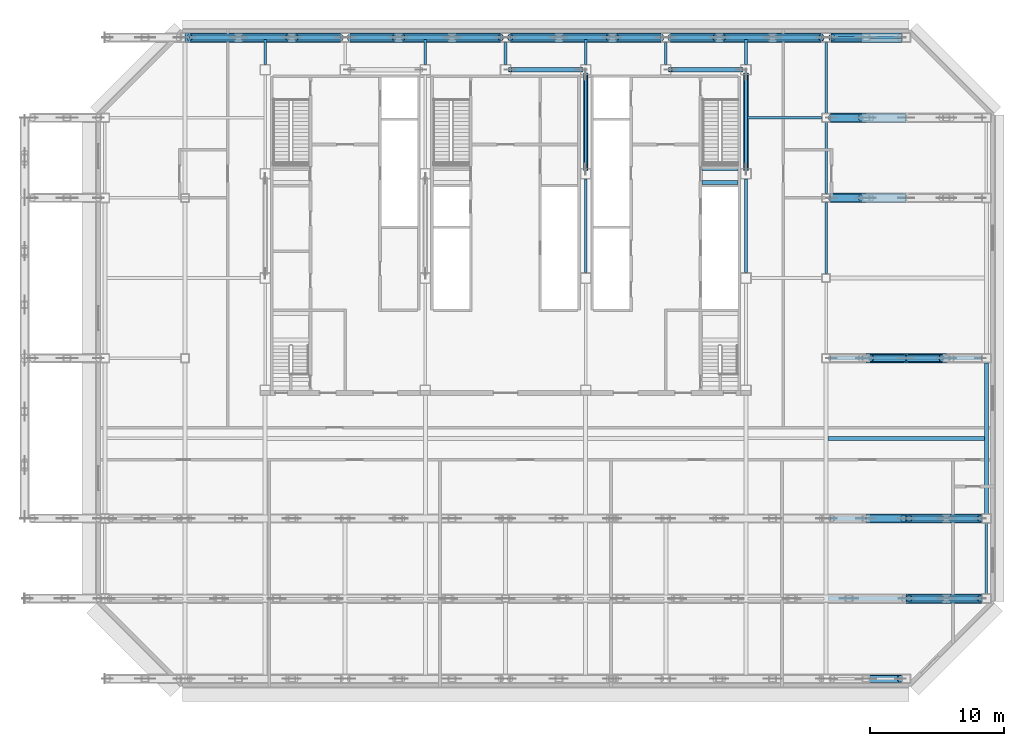
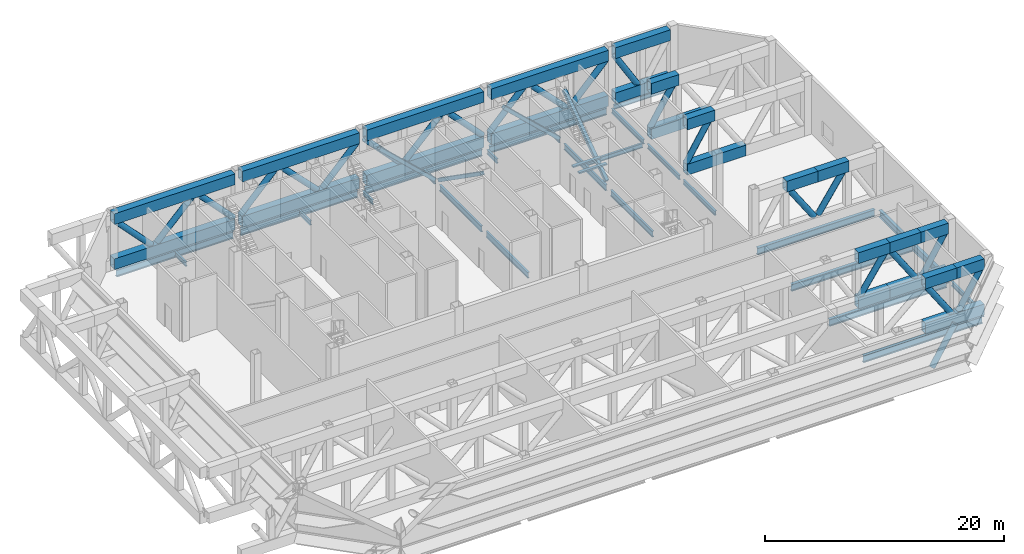
# One storey, part 4 of 17: 51 beams, 27 members.
"""IFC4 building model written with IfcOpenShell, lengths in metres."""

from ifc_helpers import new_model, si_unit, direction, frame, origin, origin_2d, place, context, subcontext, project, spatial, rectangle, hollow_rectangle, hollow_circle, i_section, extrude, material, material_profile, profile_set, type_object, element, save


model = new_model("IFC4")

# Units and contexts
model_context = context("Model", 3, precision=1e-05, world=origin(), true_north=direction((0.0, 1.0)))
body_context = subcontext(model_context, "Body", "Model", "MODEL_VIEW")
ifc_project = project(units=[si_unit("LENGTHUNIT", "METRE"), si_unit("AREAUNIT", "SQUARE_METRE"), si_unit("VOLUMEUNIT", "CUBIC_METRE"), si_unit("PLANEANGLEUNIT", "RADIAN"), si_unit("MASSUNIT", "GRAM", prefix="KILO")], contexts=[model_context])

# Site, building, storey
site_placement = place(None, origin())
site = spatial("IfcSite", under=ifc_project, at=site_placement, CompositionType="ELEMENT")
building_placement = place(site_placement, origin())
building = spatial("IfcBuilding", under=site, at=building_placement, Name="Sorahane Residences", CompositionType="ELEMENT")
storey_placement = place(building_placement, frame((0.0, 0.0, 186.0)))
storey = spatial("IfcBuildingStorey", under=building, at=storey_placement, Name="L43", CompositionType="ELEMENT", Elevation=186.0)

# Members
ifc_material_1 = material(Name="Steel Q355B", Category="steel")
ifc_material_profile_1 = material_profile(ifc_material_1, hollow_rectangle(XDim=0.35009765625, YDim=0.35009765625, WallThickness=0.01806640625, InnerFilletRadius=0.009033203125, OuterFilletRadius=0.027099609375, at=origin_2d()), Name="RHS 350x350x18")
ifc_profile_set_1 = profile_set([ifc_material_profile_1], Name="Steel Q355B")
member_type_1 = type_object("IfcMemberType", Name="Core brace RHS 350x350x18 Q355B", PredefinedType="BRACE", material=ifc_profile_set_1)
for number, where, z_axis, x_axis, name in (
    (1, (29.672119140625, 45.60009765625, 0.107177734375), (-0.727807481215, 0.0, 0.685781503314), (0.0, -1.0, 0.0), "Core brace L43 y45.6-4"),
    (2, (41.672119140625, 45.60009765625, 0.107177734375), (-0.727807481215, 0.0, 0.685781503314), (0.0, -1.0, 0.0), "Core brace L43 y45.6-6"),
):
    element("IfcMember", number, at=place(storey_placement, frame(where, z_axis=z_axis, x_axis=x_axis)), inside=storey, type_object=member_type_1, Name=name, PredefinedType="BRACE", context=body_context, shape_type="SweptSolid", body=[
        extrude(hollow_rectangle(XDim=0.35009765625, YDim=0.35009765625, WallThickness=0.01806640625, InnerFilletRadius=0.009033203125, OuterFilletRadius=0.027099609375, at=origin_2d()), origin(), (0.0, 0.0, 1.0), 7.343017578125),
    ])
for number, where, z_axis, x_axis, name in (
    (3, (42.0, 38.139892578125, 0.1328125), (0.0, 0.8192253223, 0.573471770275), (-1.0, 0.0, 0.0), "Core brace L43 x42-3"),
    (4, (30.0, 45.26025390625, 0.1328125), (0.0, -0.8192253223, 0.573471770275), (1.0, 0.0, 0.0), "Core brace L43 x30-2"),
):
    element("IfcMember", number, at=place(storey_placement, frame(where, z_axis=z_axis, x_axis=x_axis)), inside=storey, type_object=member_type_1, Name=name, PredefinedType="BRACE", context=body_context, shape_type="SweptSolid", body=[
        extrude(hollow_rectangle(XDim=0.35009765625, YDim=0.35009765625, WallThickness=0.01806640625, InnerFilletRadius=0.009033203125, OuterFilletRadius=0.027099609375, at=origin_2d()), origin(), (0.0, 0.0, 1.0), 8.691650390625),
    ])

# Beams
ifc_material_2 = material(Name="Concrete C40", Category="concrete")
ifc_material_profile_2 = material_profile(ifc_material_2, rectangle(XDim=0.300048828125, YDim=0.139892578125, at=origin_2d()), Name="300x140")
ifc_profile_set_2 = profile_set([ifc_material_profile_2], Name="Concrete C40")
beam_type_1 = type_object("IfcBeamType", Name="RC landing beam 300 x 140 Concrete C40", PredefinedType="BEAM", material=ifc_profile_set_2)
for number, where, z_axis, x_axis, name in (
    (5, (38.699951171875, 37.14990234375, 2.72998046875), (1.0, 0.0, 0.0), (0.0, 1.0, 0.0), "Landing beam"),
    (6, (38.699951171875, 38.18994140625, 2.72998046875), (1.0, 0.0, 0.0), (0.0, 1.0, 0.0), "Landing beam"),
):
    element("IfcBeam", number, at=place(storey_placement, frame(where, z_axis=z_axis, x_axis=x_axis)), inside=storey, type_object=beam_type_1, Name=name, PredefinedType="BEAM", context=body_context, shape_type="SweptSolid", body=[
        extrude(rectangle(XDim=0.300048828125, YDim=0.139892578125, at=origin_2d()), origin(), (0.0, 0.0, 1.0), 2.699951171875),
    ])
ifc_material_3 = material(Name="Steel Q355B", Category="steel")
ifc_material_profile_3 = material_profile(ifc_material_3, i_section(OverallWidth=0.199951171875, OverallDepth=0.449951171875, WebThickness=0.009033203125, FlangeThickness=0.013916015625, FilletRadius=0.02001953125, at=origin_2d()), Name="HN 450x200x9x14")
ifc_profile_set_3 = profile_set([ifc_material_profile_3], Name="Steel Q355B")
beam_type_2 = type_object("IfcBeamType", Name="Steel floor beam HN 450x200x9x14 Q355B", PredefinedType="BEAM", material=ifc_profile_set_3)
beam_1_placement = place(storey_placement, frame((48.35009765625, 48.0, -0.52490234375), z_axis=(1.0, 0.0, 0.0), x_axis=(0.0, 1.0, 0.0)))
element("IfcBeam", 7, at=beam_1_placement, inside=storey, type_object=beam_type_2, Name="Beam L43 019", PredefinedType="BEAM", context=body_context, shape_type="SweptSolid", body=[
    extrude(i_section(OverallWidth=0.199951171875, OverallDepth=0.449951171875, WebThickness=0.009033203125, FlangeThickness=0.013916015625, FilletRadius=0.02001953125, at=origin_2d()), origin(), (0.0, 0.0, 1.0), 5.2998046875),
])
for number, where, z_axis, x_axis, name in (
    (8, (6.0, 46.0, -0.52490234375), (0.0, 1.0, 0.0), (-1.0, 0.0, 0.0), "Beam L43 033"),
    (9, (18.0, 46.0, -0.52490234375), (0.0, 1.0, 0.0), (-1.0, 0.0, 0.0), "Beam L43 041"),
):
    element("IfcBeam", number, at=place(storey_placement, frame(where, z_axis=z_axis, x_axis=x_axis)), inside=storey, type_object=beam_type_2, Name=name, PredefinedType="BEAM", context=body_context, shape_type="SweptSolid", body=[
        extrude(i_section(OverallWidth=0.199951171875, OverallDepth=0.449951171875, WebThickness=0.009033203125, FlangeThickness=0.013916015625, FilletRadius=0.02001953125, at=origin_2d()), origin(), (0.0, 0.0, 1.0), 1.85009765625),
    ])
beam_2_placement = place(storey_placement, frame((24.0, 46.0, -0.52490234375), z_axis=(0.0, 1.0, 0.0), x_axis=(-1.0, 0.0, 0.0)))
element("IfcBeam", 10, at=beam_2_placement, inside=storey, type_object=beam_type_2, Name="Beam L43 043", PredefinedType="BEAM", context=body_context, shape_type="SweptSolid", body=[
    extrude(i_section(OverallWidth=0.199951171875, OverallDepth=0.449951171875, WebThickness=0.009033203125, FlangeThickness=0.013916015625, FilletRadius=0.02001953125, at=origin_2d()), origin(), (0.0, 0.0, 1.0), 1.64990234375),
])
beam_3_placement = place(storey_placement, frame((30.0, 46.0, -0.52490234375), z_axis=(0.0, 1.0, 0.0), x_axis=(-1.0, 0.0, 0.0)))
element("IfcBeam", 11, at=beam_3_placement, inside=storey, type_object=beam_type_2, Name="Beam L43 049", PredefinedType="BEAM", context=body_context, shape_type="SweptSolid", body=[
    extrude(i_section(OverallWidth=0.199951171875, OverallDepth=0.449951171875, WebThickness=0.009033203125, FlangeThickness=0.013916015625, FilletRadius=0.02001953125, at=origin_2d()), origin(), (0.0, 0.0, 1.0), 1.85009765625),
])
beam_4_placement = place(storey_placement, frame((36.0, 46.0, -0.52490234375), z_axis=(0.0, 1.0, 0.0), x_axis=(-1.0, 0.0, 0.0)))
element("IfcBeam", 12, at=beam_4_placement, inside=storey, type_object=beam_type_2, Name="Beam L43 051", PredefinedType="BEAM", context=body_context, shape_type="SweptSolid", body=[
    extrude(i_section(OverallWidth=0.199951171875, OverallDepth=0.449951171875, WebThickness=0.009033203125, FlangeThickness=0.013916015625, FilletRadius=0.02001953125, at=origin_2d()), origin(), (0.0, 0.0, 1.0), 1.64990234375),
])
beam_5_placement = place(storey_placement, frame((42.0, 46.0, -0.52490234375), z_axis=(0.0, 1.0, 0.0), x_axis=(-1.0, 0.0, 0.0)))
element("IfcBeam", 13, at=beam_5_placement, inside=storey, type_object=beam_type_2, Name="Beam L43 057", PredefinedType="BEAM", context=body_context, shape_type="SweptSolid", body=[
    extrude(i_section(OverallWidth=0.199951171875, OverallDepth=0.449951171875, WebThickness=0.009033203125, FlangeThickness=0.013916015625, FilletRadius=0.02001953125, at=origin_2d()), origin(), (0.0, 0.0, 1.0), 1.85009765625),
])
for number, where, z_axis, x_axis, name in (
    (14, (48.0, 30.324951171875, -0.52490234375), (0.0, 1.0, 0.0), (-1.0, 0.0, 0.0), "Beam L43 061"),
    (15, (48.0, 36.324951171875, -0.52490234375), (0.0, 1.0, 0.0), (-1.0, 0.0, 0.0), "Beam L43 062"),
):
    element("IfcBeam", number, at=place(storey_placement, frame(where, z_axis=z_axis, x_axis=x_axis)), inside=storey, type_object=beam_type_2, Name=name, PredefinedType="BEAM", context=body_context, shape_type="SweptSolid", body=[
        extrude(i_section(OverallWidth=0.199951171875, OverallDepth=0.449951171875, WebThickness=0.009033203125, FlangeThickness=0.013916015625, FilletRadius=0.02001953125, at=origin_2d()), origin(), (0.0, 0.0, 1.0), 5.35009765625),
    ])
beam_6_placement = place(storey_placement, frame((48.0, 42.324951171875, -0.52490234375), z_axis=(0.0, 1.0, 0.0), x_axis=(-1.0, 0.0, 0.0)))
element("IfcBeam", 16, at=beam_6_placement, inside=storey, type_object=beam_type_2, Name="Beam L43 063", PredefinedType="BEAM", context=body_context, shape_type="SweptSolid", body=[
    extrude(i_section(OverallWidth=0.199951171875, OverallDepth=0.449951171875, WebThickness=0.009033203125, FlangeThickness=0.013916015625, FilletRadius=0.02001953125, at=origin_2d()), origin(), (0.0, 0.0, 1.0), 5.324951171875),
])
beam_7_placement = place(storey_placement, frame((60.0, 6.35009765625, -0.52490234375), z_axis=(0.0, 1.0, 0.0), x_axis=(-1.0, 0.0, 0.0)))
element("IfcBeam", 17, at=beam_7_placement, inside=storey, type_object=beam_type_2, Name="Beam L43 064", PredefinedType="BEAM", context=body_context, shape_type="SweptSolid", body=[
    extrude(i_section(OverallWidth=0.199951171875, OverallDepth=0.449951171875, WebThickness=0.009033203125, FlangeThickness=0.013916015625, FilletRadius=0.02001953125, at=origin_2d()), origin(), (0.0, 0.0, 1.0), 5.2998046875),
])
beam_8_placement = place(storey_placement, frame((42.10009765625, 42.0, -0.52490234375), z_axis=(1.0, 0.0, 0.0), x_axis=(0.0, 1.0, 0.0)))
element("IfcBeam", 18, at=beam_8_placement, inside=storey, type_object=beam_type_2, Name="Beam L43 091", PredefinedType="BEAM", context=body_context, shape_type="SweptSolid", body=[
    extrude(i_section(OverallWidth=0.199951171875, OverallDepth=0.449951171875, WebThickness=0.009033203125, FlangeThickness=0.013916015625, FilletRadius=0.02001953125, at=origin_2d()), origin(), (0.0, 0.0, 1.0), 5.574951171875),
])
ifc_material_4 = material(Name="Steel Q355B", Category="steel")
ifc_material_profile_4 = material_profile(ifc_material_4, i_section(OverallWidth=0.199951171875, OverallDepth=0.60009765625, WebThickness=0.010986328125, FlangeThickness=0.01708984375, FilletRadius=0.02392578125, at=origin_2d()), Name="HN 600x200x11x17")
ifc_profile_set_4 = profile_set([ifc_material_profile_4], Name="Steel Q355B")
beam_type_3 = type_object("IfcBeamType", Name="Steel floor beam HN 600x200x11x17 Q355B", PredefinedType="BEAM", material=ifc_profile_set_4)
for number, where, z_axis, x_axis, name in (
    (19, (30.0, 30.39990234375, -0.60009765625), (0.0, 1.0, 0.0), (-1.0, 0.0, 0.0), "Beam L43 047"),
    (20, (30.0, 38.199951171875, -0.60009765625), (0.0, 1.0, 0.0), (-1.0, 0.0, 0.0), "Beam L43 048"),
    (21, (42.0, 30.39990234375, -0.60009765625), (0.0, 1.0, 0.0), (-1.0, 0.0, 0.0), "Beam L43 055"),
    (22, (42.0, 38.199951171875, -0.60009765625), (0.0, 1.0, 0.0), (-1.0, 0.0, 0.0), "Beam L43 056"),
):
    element("IfcBeam", number, at=place(storey_placement, frame(where, z_axis=z_axis, x_axis=x_axis)), inside=storey, type_object=beam_type_3, Name=name, PredefinedType="BEAM", context=body_context, shape_type="SweptSolid", body=[
        extrude(i_section(OverallWidth=0.199951171875, OverallDepth=0.60009765625, WebThickness=0.010986328125, FlangeThickness=0.01708984375, FilletRadius=0.02392578125, at=origin_2d()), origin(), (0.0, 0.0, 1.0), 7.0),
    ])
ifc_material_5 = material(Name="Steel Q355B", Category="steel")
ifc_material_profile_5 = material_profile(ifc_material_5, i_section(OverallWidth=0.300048828125, OverallDepth=0.699951171875, WebThickness=0.012939453125, FlangeThickness=0.02392578125, FilletRadius=0.028076171875, at=origin_2d()), Name="HN 700x300x13x24")
ifc_profile_set_5 = profile_set([ifc_material_profile_5], Name="Steel Q355B")
beam_type_4 = type_object("IfcBeamType", Name="Steel floor beam HN 700x300x13x24 Q355B", PredefinedType="BEAM", material=ifc_profile_set_5)
for number, where, z_axis, x_axis, name in (
    (23, (48.324951171875, 12.0, -0.64990234375), (1.0, 0.0, 0.0), (0.0, 1.0, 0.0), "Beam L43 010"),
    (24, (48.324951171875, 24.0, -0.64990234375), (1.0, 0.0, 0.0), (0.0, 1.0, 0.0), "Beam L43 012"),
):
    element("IfcBeam", number, at=place(storey_placement, frame(where, z_axis=z_axis, x_axis=x_axis)), inside=storey, type_object=beam_type_4, Name=name, PredefinedType="BEAM", context=body_context, shape_type="SweptSolid", body=[
        extrude(i_section(OverallWidth=0.300048828125, OverallDepth=0.699951171875, WebThickness=0.012939453125, FlangeThickness=0.02392578125, FilletRadius=0.028076171875, at=origin_2d()), origin(), (0.0, 0.0, 1.0), 11.324951171875),
    ])
for number, where, z_axis, x_axis, name in (
    (25, (0.35009765625, 48.0, -0.64990234375), (1.0, 0.0, 0.0), (0.0, 1.0, 0.0), "Beam L43 015"),
    (26, (12.35009765625, 48.0, -0.64990234375), (1.0, 0.0, 0.0), (0.0, 1.0, 0.0), "Beam L43 016"),
    (27, (24.35009765625, 48.0, -0.64990234375), (1.0, 0.0, 0.0), (0.0, 1.0, 0.0), "Beam L43 017"),
    (28, (36.35009765625, 48.0, -0.64990234375), (1.0, 0.0, 0.0), (0.0, 1.0, 0.0), "Beam L43 018"),
    (29, (60.0, 12.35009765625, -0.64990234375), (0.0, 1.0, 0.0), (-1.0, 0.0, 0.0), "Beam L43 065"),
):
    element("IfcBeam", number, at=place(storey_placement, frame(where, z_axis=z_axis, x_axis=x_axis)), inside=storey, type_object=beam_type_4, Name=name, PredefinedType="BEAM", context=body_context, shape_type="SweptSolid", body=[
        extrude(i_section(OverallWidth=0.300048828125, OverallDepth=0.699951171875, WebThickness=0.012939453125, FlangeThickness=0.02392578125, FilletRadius=0.028076171875, at=origin_2d()), origin(), (0.0, 0.0, 1.0), 11.2998046875),
    ])
beam_9_placement = place(storey_placement, frame((48.14990234375, 6.0, -0.64990234375), z_axis=(1.0, 0.0, 0.0), x_axis=(0.0, 1.0, 0.0)))
element("IfcBeam", 30, at=beam_9_placement, inside=storey, type_object=beam_type_4, Name="Beam L43 077", PredefinedType="BEAM", context=body_context, shape_type="SweptSolid", body=[
    extrude(i_section(OverallWidth=0.300048828125, OverallDepth=0.699951171875, WebThickness=0.012939453125, FlangeThickness=0.02392578125, FilletRadius=0.028076171875, at=origin_2d()), origin(), (0.0, 0.0, 1.0), 11.5),
])
beam_10_placement = place(storey_placement, frame((48.14990234375, 18.0, -0.64990234375), z_axis=(1.0, 0.0, 0.0), x_axis=(0.0, 1.0, 0.0)))
element("IfcBeam", 31, at=beam_10_placement, inside=storey, type_object=beam_type_4, Name="Beam L43 084", PredefinedType="BEAM", context=body_context, shape_type="SweptSolid", body=[
    extrude(i_section(OverallWidth=0.300048828125, OverallDepth=0.699951171875, WebThickness=0.012939453125, FlangeThickness=0.02392578125, FilletRadius=0.028076171875, at=origin_2d()), origin(), (0.0, 0.0, 1.0), 11.7001953125),
])
ifc_material_6 = material(Name="Steel Q420GJ", Category="steel")
ifc_material_profile_6 = material_profile(ifc_material_6, hollow_rectangle(XDim=0.699951171875, YDim=1.10009765625, WallThickness=0.050048828125, at=origin_2d()), Name="BOX 1100x700x50")
ifc_profile_set_6 = profile_set([ifc_material_profile_6], Name="Steel Q420GJ")
beam_type_5 = type_object("IfcBeamType", Name="Truss chord BOX 1100x700x50 Q420GJ", PredefinedType="BEAM", material=ifc_profile_set_6)
beam_11_placement = place(storey_placement, frame((54.0, 6.0, 0.550048828125), z_axis=(1.0, 0.0, 0.0), x_axis=(0.0, 1.0, 0.0)))
element("IfcBeam", 32, at=beam_11_placement, inside=storey, type_object=beam_type_5, Name="Truss chord L43", PredefinedType="BEAM", context=body_context, shape_type="SweptSolid", body=[
    extrude(hollow_rectangle(XDim=0.699951171875, YDim=1.10009765625, WallThickness=0.050048828125, at=origin_2d()), origin(), (0.0, 0.0, 1.0), 5.64990234375),
])
beam_12_placement = place(storey_placement, frame((54.0, 6.0, 5.14990234375), z_axis=(1.0, 0.0, 0.0), x_axis=(0.0, 1.0, 0.0)))
element("IfcBeam", 33, at=beam_12_placement, inside=storey, type_object=beam_type_5, Name="Truss chord L43", PredefinedType="BEAM", context=body_context, shape_type="SweptSolid", body=[
    extrude(hollow_rectangle(XDim=0.699951171875, YDim=1.10009765625, WallThickness=0.050048828125, at=origin_2d()), origin(), (0.0, 0.0, 1.0), 3.0),
])
beam_13_placement = place(storey_placement, frame((57.0, 6.0, 5.14990234375), z_axis=(1.0, 0.0, 0.0), x_axis=(0.0, 1.0, 0.0)))
element("IfcBeam", 34, at=beam_13_placement, inside=storey, type_object=beam_type_5, Name="Truss chord L43", PredefinedType="BEAM", context=body_context, shape_type="SweptSolid", body=[
    extrude(hollow_rectangle(XDim=0.699951171875, YDim=1.10009765625, WallThickness=0.050048828125, at=origin_2d()), origin(), (0.0, 0.0, 1.0), 2.64990234375),
])
beam_14_placement = place(storey_placement, frame((51.0, 12.0, 0.550048828125), z_axis=(1.0, 0.0, 0.0), x_axis=(0.0, 1.0, 0.0)))
element("IfcBeam", 35, at=beam_14_placement, inside=storey, type_object=beam_type_5, Name="Truss chord L43", PredefinedType="BEAM", context=body_context, shape_type="SweptSolid", body=[
    extrude(hollow_rectangle(XDim=0.699951171875, YDim=1.10009765625, WallThickness=0.050048828125, at=origin_2d()), origin(), (0.0, 0.0, 1.0), 3.0),
])
beam_15_placement = place(storey_placement, frame((54.0, 12.0, 0.550048828125), z_axis=(1.0, 0.0, 0.0), x_axis=(0.0, 1.0, 0.0)))
element("IfcBeam", 36, at=beam_15_placement, inside=storey, type_object=beam_type_5, Name="Truss chord L43", PredefinedType="BEAM", context=body_context, shape_type="SweptSolid", body=[
    extrude(hollow_rectangle(XDim=0.699951171875, YDim=1.10009765625, WallThickness=0.050048828125, at=origin_2d()), origin(), (0.0, 0.0, 1.0), 5.64990234375),
])
for number, where, z_axis, x_axis, name in (
    (37, (51.0, 12.0, 5.14990234375), (1.0, 0.0, 0.0), (0.0, 1.0, 0.0), "Truss chord L43"),
    (38, (54.0, 12.0, 5.14990234375), (1.0, 0.0, 0.0), (0.0, 1.0, 0.0), "Truss chord L43"),
):
    element("IfcBeam", number, at=place(storey_placement, frame(where, z_axis=z_axis, x_axis=x_axis)), inside=storey, type_object=beam_type_5, Name=name, PredefinedType="BEAM", context=body_context, shape_type="SweptSolid", body=[
        extrude(hollow_rectangle(XDim=0.699951171875, YDim=1.10009765625, WallThickness=0.050048828125, at=origin_2d()), origin(), (0.0, 0.0, 1.0), 3.0),
    ])
beam_16_placement = place(storey_placement, frame((57.0, 12.0, 5.14990234375), z_axis=(1.0, 0.0, 0.0), x_axis=(0.0, 1.0, 0.0)))
element("IfcBeam", 39, at=beam_16_placement, inside=storey, type_object=beam_type_5, Name="Truss chord L43", PredefinedType="BEAM", context=body_context, shape_type="SweptSolid", body=[
    extrude(hollow_rectangle(XDim=0.699951171875, YDim=1.10009765625, WallThickness=0.050048828125, at=origin_2d()), origin(), (0.0, 0.0, 1.0), 2.64990234375),
])
for number, where, z_axis, x_axis, name in (
    (40, (51.0, 24.0, 5.14990234375), (1.0, 0.0, 0.0), (0.0, 1.0, 0.0), "Truss chord L43"),
    (41, (54.0, 24.0, 5.14990234375), (1.0, 0.0, 0.0), (0.0, 1.0, 0.0), "Truss chord L43"),
):
    element("IfcBeam", number, at=place(storey_placement, frame(where, z_axis=z_axis, x_axis=x_axis)), inside=storey, type_object=beam_type_5, Name=name, PredefinedType="BEAM", context=body_context, shape_type="SweptSolid", body=[
        extrude(hollow_rectangle(XDim=0.699951171875, YDim=1.10009765625, WallThickness=0.050048828125, at=origin_2d()), origin(), (0.0, 0.0, 1.0), 3.0),
    ])
beam_17_placement = place(storey_placement, frame((48.324951171875, 36.0, 0.550048828125), z_axis=(1.0, 0.0, 0.0), x_axis=(0.0, 1.0, 0.0)))
element("IfcBeam", 42, at=beam_17_placement, inside=storey, type_object=beam_type_5, Name="Truss chord L43", PredefinedType="BEAM", context=body_context, shape_type="SweptSolid", body=[
    extrude(hollow_rectangle(XDim=0.699951171875, YDim=1.10009765625, WallThickness=0.050048828125, at=origin_2d()), origin(), (0.0, 0.0, 1.0), 5.675048828125),
])
beam_18_placement = place(storey_placement, frame((48.324951171875, 36.0, 5.14990234375), z_axis=(1.0, 0.0, 0.0), x_axis=(0.0, 1.0, 0.0)))
element("IfcBeam", 43, at=beam_18_placement, inside=storey, type_object=beam_type_5, Name="Truss chord L43", PredefinedType="BEAM", context=body_context, shape_type="SweptSolid", body=[
    extrude(hollow_rectangle(XDim=0.699951171875, YDim=1.10009765625, WallThickness=0.050048828125, at=origin_2d()), origin(), (0.0, 0.0, 1.0), 2.675048828125),
])
beam_19_placement = place(storey_placement, frame((48.324951171875, 42.0, 0.550048828125), z_axis=(1.0, 0.0, 0.0), x_axis=(0.0, 1.0, 0.0)))
element("IfcBeam", 44, at=beam_19_placement, inside=storey, type_object=beam_type_5, Name="Truss chord L43", PredefinedType="BEAM", context=body_context, shape_type="SweptSolid", body=[
    extrude(hollow_rectangle(XDim=0.699951171875, YDim=1.10009765625, WallThickness=0.050048828125, at=origin_2d()), origin(), (0.0, 0.0, 1.0), 5.675048828125),
])
beam_20_placement = place(storey_placement, frame((48.324951171875, 42.0, 5.14990234375), z_axis=(1.0, 0.0, 0.0), x_axis=(0.0, 1.0, 0.0)))
element("IfcBeam", 45, at=beam_20_placement, inside=storey, type_object=beam_type_5, Name="Truss chord L43", PredefinedType="BEAM", context=body_context, shape_type="SweptSolid", body=[
    extrude(hollow_rectangle(XDim=0.699951171875, YDim=1.10009765625, WallThickness=0.050048828125, at=origin_2d()), origin(), (0.0, 0.0, 1.0), 2.675048828125),
])
beam_21_placement = place(storey_placement, frame((0.0, 48.0, 0.550048828125), z_axis=(1.0, 0.0, 0.0), x_axis=(0.0, 1.0, 0.0)))
element("IfcBeam", 46, at=beam_21_placement, inside=storey, type_object=beam_type_5, Name="Truss chord L43", PredefinedType="BEAM", context=body_context, shape_type="SweptSolid", body=[
    extrude(hollow_rectangle(XDim=0.699951171875, YDim=1.10009765625, WallThickness=0.050048828125, at=origin_2d()), origin(), (0.0, 0.0, 1.0), 11.64990234375),
])
for number, where, z_axis, x_axis, name in (
    (47, (12.35009765625, 48.0, 0.550048828125), (1.0, 0.0, 0.0), (0.0, 1.0, 0.0), "Truss chord L43"),
    (48, (24.35009765625, 48.0, 0.550048828125), (1.0, 0.0, 0.0), (0.0, 1.0, 0.0), "Truss chord L43"),
    (49, (36.35009765625, 48.0, 0.550048828125), (1.0, 0.0, 0.0), (0.0, 1.0, 0.0), "Truss chord L43"),
):
    element("IfcBeam", number, at=place(storey_placement, frame(where, z_axis=z_axis, x_axis=x_axis)), inside=storey, type_object=beam_type_5, Name=name, PredefinedType="BEAM", context=body_context, shape_type="SweptSolid", body=[
        extrude(hollow_rectangle(XDim=0.699951171875, YDim=1.10009765625, WallThickness=0.050048828125, at=origin_2d()), origin(), (0.0, 0.0, 1.0), 11.2998046875),
    ])
beam_22_placement = place(storey_placement, frame((48.35009765625, 48.0, 0.550048828125), z_axis=(1.0, 0.0, 0.0), x_axis=(0.0, 1.0, 0.0)))
element("IfcBeam", 50, at=beam_22_placement, inside=storey, type_object=beam_type_5, Name="Truss chord L43", PredefinedType="BEAM", context=body_context, shape_type="SweptSolid", body=[
    extrude(hollow_rectangle(XDim=0.699951171875, YDim=1.10009765625, WallThickness=0.050048828125, at=origin_2d()), origin(), (0.0, 0.0, 1.0), 5.2998046875),
])
beam_23_placement = place(storey_placement, frame((0.0, 48.0, 5.14990234375), z_axis=(1.0, 0.0, 0.0), x_axis=(0.0, 1.0, 0.0)))
element("IfcBeam", 51, at=beam_23_placement, inside=storey, type_object=beam_type_5, Name="Truss chord L43", PredefinedType="BEAM", context=body_context, shape_type="SweptSolid", body=[
    extrude(hollow_rectangle(XDim=0.699951171875, YDim=1.10009765625, WallThickness=0.050048828125, at=origin_2d()), origin(), (0.0, 0.0, 1.0), 11.64990234375),
])
for number, where, z_axis, x_axis, name in (
    (52, (12.35009765625, 48.0, 5.14990234375), (1.0, 0.0, 0.0), (0.0, 1.0, 0.0), "Truss chord L43"),
    (53, (24.35009765625, 48.0, 5.14990234375), (1.0, 0.0, 0.0), (0.0, 1.0, 0.0), "Truss chord L43"),
    (54, (36.35009765625, 48.0, 5.14990234375), (1.0, 0.0, 0.0), (0.0, 1.0, 0.0), "Truss chord L43"),
):
    element("IfcBeam", number, at=place(storey_placement, frame(where, z_axis=z_axis, x_axis=x_axis)), inside=storey, type_object=beam_type_5, Name=name, PredefinedType="BEAM", context=body_context, shape_type="SweptSolid", body=[
        extrude(hollow_rectangle(XDim=0.699951171875, YDim=1.10009765625, WallThickness=0.050048828125, at=origin_2d()), origin(), (0.0, 0.0, 1.0), 11.2998046875),
    ])
beam_24_placement = place(storey_placement, frame((48.35009765625, 48.0, 5.14990234375), z_axis=(1.0, 0.0, 0.0), x_axis=(0.0, 1.0, 0.0)))
element("IfcBeam", 55, at=beam_24_placement, inside=storey, type_object=beam_type_5, Name="Truss chord L43", PredefinedType="BEAM", context=body_context, shape_type="SweptSolid", body=[
    extrude(hollow_rectangle(XDim=0.699951171875, YDim=1.10009765625, WallThickness=0.050048828125, at=origin_2d()), origin(), (0.0, 0.0, 1.0), 5.2998046875),
])

# Members
ifc_material_7 = material(Name="Steel Q420GJ", Category="steel")
ifc_material_profile_7 = material_profile(ifc_material_7, hollow_circle(Radius=0.27490234375, WallThickness=0.028076171875, at=origin_2d()), Name="CHS 550x28")
ifc_profile_set_7 = profile_set([ifc_material_profile_7], Name="Steel Q420GJ")
member_type_2 = type_object("IfcMemberType", Name="Truss diagonal CHS 550x28 Q420GJ", PredefinedType="BRACE", material=ifc_profile_set_7)
member_1_placement = place(storey_placement, frame((51.36328125, 0.0, 1.022705078125), z_axis=(0.515488774594, 0.0, 0.856896331692), x_axis=(0.0, 1.0, 0.0)))
element("IfcMember", 56, at=member_1_placement, inside=storey, type_object=member_type_2, Name="Truss diagonal L43", PredefinedType="BRACE", context=body_context, shape_type="SweptSolid", body=[
    extrude(hollow_circle(Radius=0.27490234375, WallThickness=0.028076171875, at=origin_2d()), origin(), (0.0, 0.0, 1.0), 4.264892578125),
])
member_2_placement = place(storey_placement, frame((54.207275390625, 6.0, 4.681396484375), z_axis=(0.55760796969, 0.0, -0.83010442243), x_axis=(0.0, 1.0, 0.0)))
element("IfcMember", 57, at=member_2_placement, inside=storey, type_object=member_type_2, Name="Truss diagonal L43", PredefinedType="BRACE", context=body_context, shape_type="SweptSolid", body=[
    extrude(hollow_circle(Radius=0.27490234375, WallThickness=0.028076171875, at=origin_2d()), origin(), (0.0, 0.0, 1.0), 4.41259765625),
])
member_3_placement = place(storey_placement, frame((57.36328125, 6.0, 1.022705078125), z_axis=(0.515488774594, 0.0, 0.856896331692), x_axis=(0.0, 1.0, 0.0)))
element("IfcMember", 58, at=member_3_placement, inside=storey, type_object=member_type_2, Name="Truss diagonal L43", PredefinedType="BRACE", context=body_context, shape_type="SweptSolid", body=[
    extrude(hollow_circle(Radius=0.27490234375, WallThickness=0.028076171875, at=origin_2d()), origin(), (0.0, 0.0, 1.0), 4.264892578125),
])
for number, where, z_axis, x_axis, name in (
    (59, (51.332275390625, 12.0, 1.0185546875), (0.55760796969, 0.0, 0.83010442243), (0.0, 1.0, 0.0), "Truss diagonal L43"),
    (60, (54.207275390625, 12.0, 4.681396484375), (0.55760796969, 0.0, -0.83010442243), (0.0, 1.0, 0.0), "Truss diagonal L43"),
):
    element("IfcMember", number, at=place(storey_placement, frame(where, z_axis=z_axis, x_axis=x_axis)), inside=storey, type_object=member_type_2, Name=name, PredefinedType="BRACE", context=body_context, shape_type="SweptSolid", body=[
        extrude(hollow_circle(Radius=0.27490234375, WallThickness=0.028076171875, at=origin_2d()), origin(), (0.0, 0.0, 1.0), 4.41259765625),
    ])
member_4_placement = place(storey_placement, frame((57.36328125, 12.0, 1.022705078125), z_axis=(0.515488774594, 0.0, 0.856896331692), x_axis=(0.0, 1.0, 0.0)))
element("IfcMember", 61, at=member_4_placement, inside=storey, type_object=member_type_2, Name="Truss diagonal L43", PredefinedType="BRACE", context=body_context, shape_type="SweptSolid", body=[
    extrude(hollow_circle(Radius=0.27490234375, WallThickness=0.028076171875, at=origin_2d()), origin(), (0.0, 0.0, 1.0), 4.264892578125),
])
for number, where, z_axis, x_axis, name in (
    (62, (51.332275390625, 24.0, 4.681396484375), (0.55760796969, 0.0, -0.83010442243), (0.0, 1.0, 0.0), "Truss diagonal L43"),
    (63, (54.207275390625, 24.0, 1.0185546875), (0.55760796969, 0.0, 0.83010442243), (0.0, 1.0, 0.0), "Truss diagonal L43"),
):
    element("IfcMember", number, at=place(storey_placement, frame(where, z_axis=z_axis, x_axis=x_axis)), inside=storey, type_object=member_type_2, Name=name, PredefinedType="BRACE", context=body_context, shape_type="SweptSolid", body=[
        extrude(hollow_circle(Radius=0.27490234375, WallThickness=0.028076171875, at=origin_2d()), origin(), (0.0, 0.0, 1.0), 4.41259765625),
    ])
for number, where, z_axis, x_axis, name in (
    (64, (48.409423828125, 36.0, 1.022216796875), (0.520986446871, 0.0, 0.853564949009), (0.0, 1.0, 0.0), "Truss diagonal L43"),
    (65, (48.409423828125, 42.0, 1.022216796875), (0.520986446871, 0.0, 0.853564949009), (0.0, 1.0, 0.0), "Truss diagonal L43"),
):
    element("IfcMember", number, at=place(storey_placement, frame(where, z_axis=z_axis, x_axis=x_axis)), inside=storey, type_object=member_type_2, Name=name, PredefinedType="BRACE", context=body_context, shape_type="SweptSolid", body=[
        extrude(hollow_circle(Radius=0.27490234375, WallThickness=0.028076171875, at=origin_2d()), origin(), (0.0, 0.0, 1.0), 4.28271484375),
    ])
member_5_placement = place(storey_placement, frame((0.35009765625, 48.0, 4.6162109375), z_axis=(0.690807269402, 0.0, -0.723038945383), x_axis=(0.0, 1.0, 0.0)))
element("IfcMember", 66, at=member_5_placement, inside=storey, type_object=member_type_2, Name="Truss diagonal L43", PredefinedType="BRACE", context=body_context, shape_type="SweptSolid", body=[
    extrude(hollow_circle(Radius=0.27490234375, WallThickness=0.028076171875, at=origin_2d()), origin(), (0.0, 0.0, 1.0), 4.885498046875),
])
member_6_placement = place(storey_placement, frame((4.27490234375, 48.0, 1.09375), z_axis=(0.700731450757, 0.0, 0.713425142478), x_axis=(0.0, 1.0, 0.0)))
element("IfcMember", 67, at=member_6_placement, inside=storey, type_object=member_type_2, Name="Truss diagonal L43", PredefinedType="BRACE", context=body_context, shape_type="SweptSolid", body=[
    extrude(hollow_circle(Radius=0.27490234375, WallThickness=0.028076171875, at=origin_2d()), origin(), (0.0, 0.0, 1.0), 4.923583984375),
])
for number, where, z_axis, x_axis, name in (
    (68, (8.27490234375, 48.0, 4.6162109375), (0.690807269402, 0.0, -0.723038945383), (0.0, 1.0, 0.0), "Truss diagonal L43"),
    (69, (12.35009765625, 48.0, 1.083740234375), (0.690807269402, 0.0, 0.723038945383), (0.0, 1.0, 0.0), "Truss diagonal L43"),
):
    element("IfcMember", number, at=place(storey_placement, frame(where, z_axis=z_axis, x_axis=x_axis)), inside=storey, type_object=member_type_2, Name=name, PredefinedType="BRACE", context=body_context, shape_type="SweptSolid", body=[
        extrude(hollow_circle(Radius=0.27490234375, WallThickness=0.028076171875, at=origin_2d()), origin(), (0.0, 0.0, 1.0), 4.885498046875),
    ])
member_7_placement = place(storey_placement, frame((16.27490234375, 48.0, 4.6064453125), z_axis=(0.700731450757, 0.0, -0.713425142478), x_axis=(0.0, 1.0, 0.0)))
element("IfcMember", 70, at=member_7_placement, inside=storey, type_object=member_type_2, Name="Truss diagonal L43", PredefinedType="BRACE", context=body_context, shape_type="SweptSolid", body=[
    extrude(hollow_circle(Radius=0.27490234375, WallThickness=0.028076171875, at=origin_2d()), origin(), (0.0, 0.0, 1.0), 4.923583984375),
])
for number, where, z_axis, x_axis, name in (
    (71, (20.27490234375, 48.0, 1.083740234375), (0.690807269402, 0.0, 0.723038945383), (0.0, 1.0, 0.0), "Truss diagonal L43"),
    (72, (24.35009765625, 48.0, 4.6162109375), (0.690807269402, 0.0, -0.723038945383), (0.0, 1.0, 0.0), "Truss diagonal L43"),
):
    element("IfcMember", number, at=place(storey_placement, frame(where, z_axis=z_axis, x_axis=x_axis)), inside=storey, type_object=member_type_2, Name=name, PredefinedType="BRACE", context=body_context, shape_type="SweptSolid", body=[
        extrude(hollow_circle(Radius=0.27490234375, WallThickness=0.028076171875, at=origin_2d()), origin(), (0.0, 0.0, 1.0), 4.885498046875),
    ])
member_8_placement = place(storey_placement, frame((28.27490234375, 48.0, 1.09375), z_axis=(0.700731450757, 0.0, 0.713425142478), x_axis=(0.0, 1.0, 0.0)))
element("IfcMember", 73, at=member_8_placement, inside=storey, type_object=member_type_2, Name="Truss diagonal L43", PredefinedType="BRACE", context=body_context, shape_type="SweptSolid", body=[
    extrude(hollow_circle(Radius=0.27490234375, WallThickness=0.028076171875, at=origin_2d()), origin(), (0.0, 0.0, 1.0), 4.923583984375),
])
for number, where, z_axis, x_axis, name in (
    (74, (32.27490234375, 48.0, 4.6162109375), (0.690807269402, 0.0, -0.723038945383), (0.0, 1.0, 0.0), "Truss diagonal L43"),
    (75, (36.35009765625, 48.0, 1.083740234375), (0.690807269402, 0.0, 0.723038945383), (0.0, 1.0, 0.0), "Truss diagonal L43"),
):
    element("IfcMember", number, at=place(storey_placement, frame(where, z_axis=z_axis, x_axis=x_axis)), inside=storey, type_object=member_type_2, Name=name, PredefinedType="BRACE", context=body_context, shape_type="SweptSolid", body=[
        extrude(hollow_circle(Radius=0.27490234375, WallThickness=0.028076171875, at=origin_2d()), origin(), (0.0, 0.0, 1.0), 4.885498046875),
    ])
member_9_placement = place(storey_placement, frame((40.27490234375, 48.0, 4.6064453125), z_axis=(0.700731450757, 0.0, -0.713425142478), x_axis=(0.0, 1.0, 0.0)))
element("IfcMember", 76, at=member_9_placement, inside=storey, type_object=member_type_2, Name="Truss diagonal L43", PredefinedType="BRACE", context=body_context, shape_type="SweptSolid", body=[
    extrude(hollow_circle(Radius=0.27490234375, WallThickness=0.028076171875, at=origin_2d()), origin(), (0.0, 0.0, 1.0), 4.923583984375),
])
member_10_placement = place(storey_placement, frame((44.27490234375, 48.0, 1.083740234375), z_axis=(0.690807269402, 0.0, 0.723038945383), x_axis=(0.0, 1.0, 0.0)))
element("IfcMember", 77, at=member_10_placement, inside=storey, type_object=member_type_2, Name="Truss diagonal L43", PredefinedType="BRACE", context=body_context, shape_type="SweptSolid", body=[
    extrude(hollow_circle(Radius=0.27490234375, WallThickness=0.028076171875, at=origin_2d()), origin(), (0.0, 0.0, 1.0), 4.885498046875),
])
member_11_placement = place(storey_placement, frame((48.438232421875, 48.0, 4.67724609375), z_axis=(0.515488774594, 0.0, -0.856896331692), x_axis=(0.0, 1.0, 0.0)))
element("IfcMember", 78, at=member_11_placement, inside=storey, type_object=member_type_2, Name="Truss diagonal L43", PredefinedType="BRACE", context=body_context, shape_type="SweptSolid", body=[
    extrude(hollow_circle(Radius=0.27490234375, WallThickness=0.028076171875, at=origin_2d()), origin(), (0.0, 0.0, 1.0), 4.264892578125),
])

save(model, "model.ifc")
